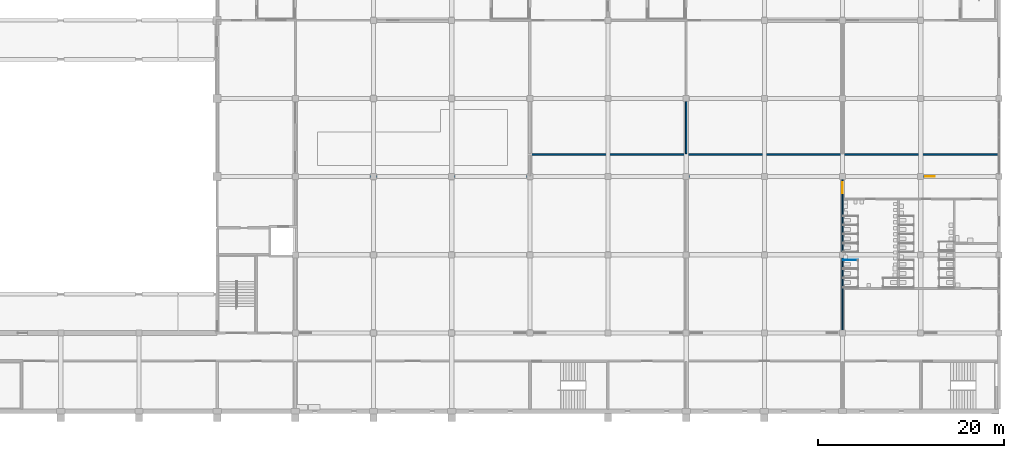
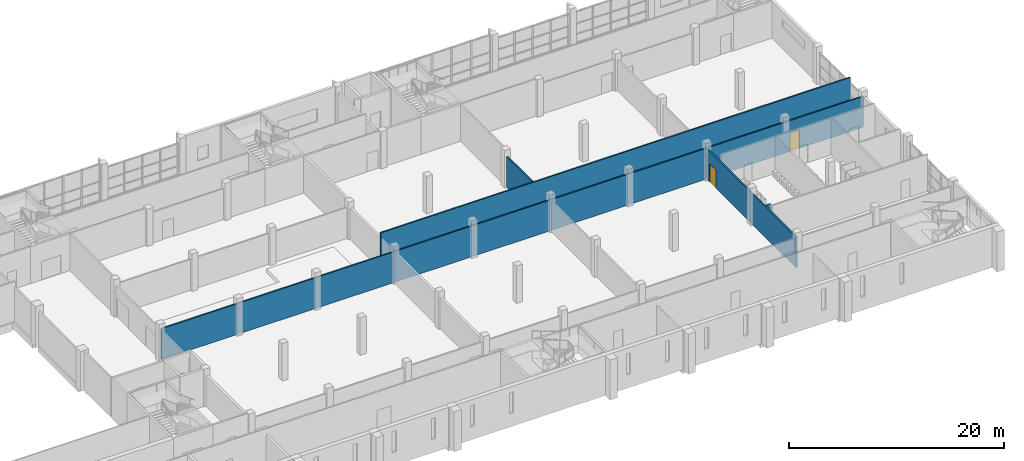
# One storey, part 32 of 64: 5 walls, 2 doors, 2 openings.
"""IFC4 building model written with IfcOpenShell, lengths in metres."""

from ifc_helpers import new_model, si_unit, direction, frame, frame_2d, origin, place, context, subcontext, project, spatial, rectangle, extrude, material, layer, layer_set, type_object, element, fill, save


model = new_model("IFC4")

# Units and contexts
model_context = context("Model", 3, precision=1e-05, world=origin(), true_north=direction((0.0, 1.0)))
body_context = subcontext(model_context, "Body", "Model", "MODEL_VIEW")
ifc_project = project(units=[si_unit("LENGTHUNIT", "METRE"), si_unit("AREAUNIT", "SQUARE_METRE"), si_unit("VOLUMEUNIT", "CUBIC_METRE"), si_unit("PLANEANGLEUNIT", "RADIAN"), si_unit("MASSUNIT", "GRAM", prefix="KILO")], contexts=[model_context])

# Site, building, storey
site_placement = place(None, origin())
site = spatial("IfcSite", under=ifc_project, at=site_placement, CompositionType="ELEMENT")
building_placement = place(site_placement, origin())
building = spatial("IfcBuilding", under=site, at=building_placement, Name="Rulbaag Community and Learning Centre", CompositionType="ELEMENT")
storey_placement = place(building_placement, frame((0.0, 0.0, 5.39990234375)))
storey = spatial("IfcBuildingStorey", under=building, at=storey_placement, Name="L01", CompositionType="ELEMENT", Elevation=5.39990234375)

# Wall
ifc_material_1 = material(Name="High pressure laminate", Category="wood")
ifc_layer_1 = layer(ifc_material_1, 0.0400390625)
ifc_layer_set_1 = layer_set([ifc_layer_1], Name="CP-40")
wall_type_1 = type_object("IfcWallType", Name="CP-40", PredefinedType="PARTITIONING", material=ifc_layer_set_1)
wall_1_placement = place(storey_placement, frame((151.27490234375, 16.25, 0.0), z_axis=(0.0, 0.0, 1.0), x_axis=(1.0, 0.0, 0.0)))
element("IfcWall", 1, at=wall_1_placement, inside=storey, type_object=wall_type_1, Name="Cubicle partition", PredefinedType="PARTITIONING", context=body_context, shape_type="SweptSolid", body=[
    extrude(rectangle(XDim=1.59521484375, YDim=0.0400390625, at=frame_2d((0.797607421875, 0.0))), origin(), (0.0, 0.0, 1.0), 2.0),
])

# Wall, opening, door
ifc_material_2 = material(Name="Concrete blockwork", Category="masonry")
ifc_layer_2 = layer(ifc_material_2, 0.14990234375)
ifc_layer_set_2 = layer_set([ifc_layer_2], Name="IP-150 PARTITION 150")
wall_type_2 = type_object("IfcWallType", Name="IP-150 PARTITION 150", PredefinedType="PARTITIONING", material=ifc_layer_set_2)
wall_2_placement = place(storey_placement, frame((92.47509765625, 25.199951171875, 0.0), z_axis=(0.0, 0.0, 1.0), x_axis=(1.0, 0.0, 0.0)))
wall_2 = element("IfcWall", 2, at=wall_2_placement, inside=storey, type_object=wall_type_2, Name="Partition L01 17", PredefinedType="PARTITIONING", context=body_context, shape_type="SweptSolid", body=[
    extrude(rectangle(XDim=75.52490234375, YDim=0.14990234375, at=frame_2d((37.762451171875, 0.0))), origin(), (0.0, 0.0, 1.0), 3.5),
])
opening_1_placement = place(wall_2_placement, frame((67.625, 0.0, 0.0)))
opening_1 = element("IfcOpeningElement", 3, at=opening_1_placement, cuts=wall_2, Name="Opening L01-D141", PredefinedType="OPENING", context=body_context, shape_type="SweptSolid", body=[
    extrude(rectangle(XDim=1.0, YDim=2.10009765625, at=frame_2d((0.5, 1.050048828125))), frame((0.0, 0.0849609375, 0.0), z_axis=(0.0, -1.0, 0.0), x_axis=(1.0, 0.0, 0.0)), (0.0, 0.0, 1.0), 0.169921875),
])
ifc_material_3 = material(Name="Timber", Category="wood")
door_type_1 = type_object("IfcDoorType", Name="D-1000 DOOR 1000 x 2100", OperationType="SINGLE_SWING_LEFT", PredefinedType="DOOR", material=ifc_material_3)
door_1_placement = place(opening_1_placement, origin())
door_1 = element("IfcDoor", 4, at=door_1_placement, inside=storey, type_object=door_type_1, Name="Door L01-D141", OperationType="SINGLE_SWING_RIGHT", OverallHeight=2.10009765625, OverallWidth=1.0, PredefinedType="DOOR", context=body_context, shape_type="SweptSolid", body=[
    extrude(rectangle(XDim=1.0, YDim=2.10009765625, at=frame_2d((0.5, 1.050048828125))), frame((0.0, 0.02490234375, 0.0), z_axis=(0.0, -1.0, 0.0), x_axis=(1.0, 0.0, 0.0)), (0.0, 0.0, 1.0), 0.050048828125),
])
fill(opening_1, door_1)

# Walls
wall_3_placement = place(storey_placement, frame((117.47509765625, 27.60009765625, 0.0), z_axis=(0.0, 0.0, 1.0), x_axis=(1.0, 0.0, 0.0)))
element("IfcWall", 5, at=wall_3_placement, inside=storey, type_object=wall_type_2, Name="Partition L01 18", PredefinedType="PARTITIONING", context=body_context, shape_type="SweptSolid", body=[
    extrude(rectangle(XDim=50.52490234375, YDim=0.14990234375, at=frame_2d((25.262451171875, 0.0))), origin(), (0.0, 0.0, 1.0), 4.2001953125),
])
wall_4_placement = place(storey_placement, frame((134.39990234375, 27.675048828125, 0.0), z_axis=(0.0, 0.0, 1.0), x_axis=(0.0, 1.0, 0.0)))
element("IfcWall", 6, at=wall_4_placement, inside=storey, type_object=wall_type_2, Name="Partition L01 74", PredefinedType="PARTITIONING", context=body_context, shape_type="SweptSolid", body=[
    extrude(rectangle(XDim=5.619873046875, YDim=0.14990234375, at=frame_2d((2.81005859375, 0.0))), origin(), (0.0, 0.0, 1.0), 3.5),
])

# Wall, opening, door
wall_5_placement = place(storey_placement, frame((151.199951171875, 8.47509765625, 0.0), z_axis=(0.0, 0.0, 1.0), x_axis=(0.0, 1.0, 0.0)))
wall_5 = element("IfcWall", 7, at=wall_5_placement, inside=storey, type_object=wall_type_2, Name="Partition L01 83", PredefinedType="PARTITIONING", context=body_context, shape_type="SweptSolid", body=[
    extrude(rectangle(XDim=16.64990234375, YDim=0.14990234375, at=frame_2d((8.324951171875, 0.0))), origin(), (0.0, 0.0, 1.0), 3.5),
])
opening_2_placement = place(wall_5_placement, frame((14.925048828125, 0.0, 0.0)))
opening_2 = element("IfcOpeningElement", 8, at=opening_2_placement, cuts=wall_5, Name="Opening L01-D112", PredefinedType="OPENING", context=body_context, shape_type="SweptSolid", body=[
    extrude(rectangle(XDim=1.199951171875, YDim=2.10009765625, at=frame_2d((0.60009765625, 1.050048828125))), frame((0.0, 0.0849609375, 0.0), z_axis=(0.0, -1.0, 0.0), x_axis=(1.0, 0.0, 0.0)), (0.0, 0.0, 1.0), 0.169921875),
])
door_type_2 = type_object("IfcDoorType", Name="DC-1200 CLASSROOM DOOR 1200 x 2100", OperationType="SINGLE_SWING_LEFT", PredefinedType="DOOR", material=ifc_material_3)
door_2_placement = place(opening_2_placement, origin())
door_2 = element("IfcDoor", 9, at=door_2_placement, inside=storey, type_object=door_type_2, Name="Door L01-D112", OperationType="SINGLE_SWING_RIGHT", OverallHeight=2.10009765625, OverallWidth=1.199951171875, PredefinedType="DOOR", context=body_context, shape_type="SweptSolid", body=[
    extrude(rectangle(XDim=1.199951171875, YDim=2.10009765625, at=frame_2d((0.60009765625, 1.050048828125))), frame((0.0, 0.02490234375, 0.0), z_axis=(0.0, -1.0, 0.0), x_axis=(1.0, 0.0, 0.0)), (0.0, 0.0, 1.0), 0.050048828125),
])
fill(opening_2, door_2)

save(model, "model.ifc")
